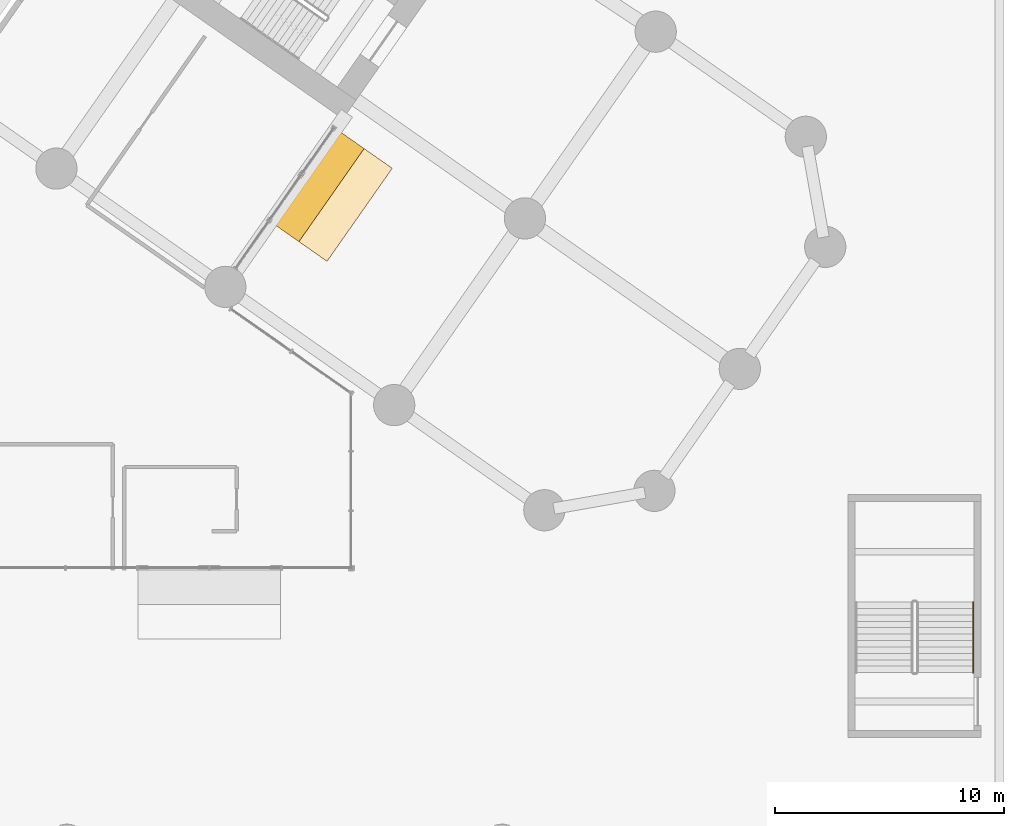
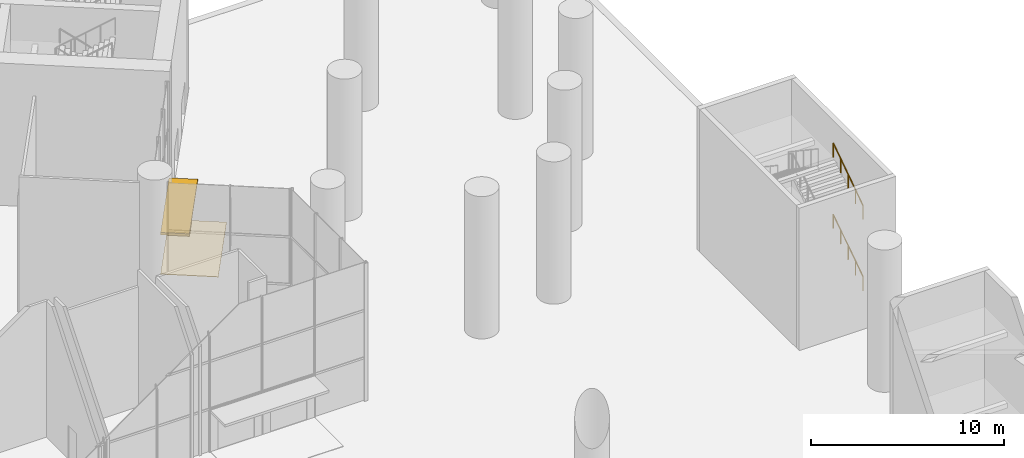
# One storey, part 34 of 37: 2 railings, 1 covering, 1 shading device.
"""IFC4 building model written with IfcOpenShell, lengths in metres."""

from ifc_helpers import new_model, si_unit, direction, frame, origin, origin_2d, place, context, subcontext, project, spatial, polyline, rectangle, circle, outline, extrude, material, layer, layer_set, type_object, element, save


model = new_model("IFC4")

# Units and contexts
model_context = context("Model", 3, precision=1e-05, world=origin(), true_north=direction((0.0, 1.0)))
body_context = subcontext(model_context, "Body", "Model", "MODEL_VIEW")
ifc_project = project(units=[si_unit("LENGTHUNIT", "METRE"), si_unit("AREAUNIT", "SQUARE_METRE"), si_unit("VOLUMEUNIT", "CUBIC_METRE"), si_unit("PLANEANGLEUNIT", "RADIAN"), si_unit("MASSUNIT", "GRAM", prefix="KILO")], contexts=[model_context])

# Site, building, storey
site_placement = place(None, origin())
site = spatial("IfcSite", under=ifc_project, at=site_placement, CompositionType="ELEMENT")
building_placement = place(site_placement, origin())
building = spatial("IfcBuilding", under=site, at=building_placement, Name="Tel Ilan Convention Tower", CompositionType="ELEMENT")
storey_placement = place(building_placement, origin())
storey = spatial("IfcBuildingStorey", under=building, at=storey_placement, Name="L00", CompositionType="ELEMENT", Elevation=0.0)

# Shading device
ifc_material_1 = material(Name="Aluminium composite, bronze anodised", Category="aluminium")
ifc_layer_1 = layer(ifc_material_1, 0.14990234375)
ifc_layer_set_1 = layer_set([ifc_layer_1], Name="ENTRANCE CANOPY 150")
shading_device_type = type_object("IfcShadingDeviceType", Name="ENTRANCE CANOPY 150", PredefinedType="AWNING", material=ifc_layer_set_1)
shading_device_placement = place(storey_placement, frame((20.431396484375, -19.20166015625, 2.5), z_axis=(0.0, 0.0, 1.0), x_axis=(-0.573576436351, -0.819152044289, 0.0)))
element("IfcShadingDevice", 1, at=shading_device_placement, inside=storey, type_object=shading_device_type, Name="Entrance canopy", PredefinedType="AWNING", context=body_context, shape_type="SweptSolid", body=[
    extrude(rectangle(XDim=4.96044921875, YDim=1.5, at=origin_2d()), origin(), (0.0, 0.0, 1.0), 0.14990234375),
])

# Covering
ifc_material_2 = material(Name="Flamed granite flooring, grey", Category="masonry")
ifc_layer_2 = layer(ifc_material_2, 0.030029296875)
ifc_layer_set_2 = layer_set([ifc_layer_2], Name="ENTRANCE STONE FLOORING 30")
covering_type = type_object("IfcCoveringType", Name="ENTRANCE STONE FLOORING 30", PredefinedType="FLOORING", material=ifc_layer_set_2)
covering_placement = place(storey_placement, origin())
element("IfcCovering", 2, at=covering_placement, inside=storey, type_object=covering_type, Name="Entrance flooring", PredefinedType="FLOORING", context=body_context, shape_type="SweptSolid", body=[
    extrude(outline(polyline([(23.697021484375, -18.460693359375), (20.851806640625, -22.52392578125), (18.394287109375, -20.80322265625), (21.239501953125, -16.739990234375), (23.697021484375, -18.460693359375)])), origin(), (0.0, 0.0, 1.0), 0.030029296875),
])

# Railings
ifc_material_3 = material(Name="Stainless Steel Grade 316", Category="steel")
railing_type = type_object("IfcRailingType", Name="Stainless Steel Stair Handrail 900 mm", PredefinedType="HANDRAIL", material=ifc_material_3)
for number, where, name in (
    (3, (49.050048828125, -40.47509765625, 0.1875), "L00 P8 stair handrail 1"),
    (4, (49.050048828125, -40.47509765625, 4.6875), "L00 P8 stair handrail 3"),
):
    element("IfcRailing", number, at=place(storey_placement, frame(where)), inside=storey, type_object=railing_type, Name=name, PredefinedType="HANDRAIL", context=body_context, shape_type="SweptSolid", body=[
        extrude(circle(Radius=0.02392578125, at=origin_2d()), frame((0.0, 0.0, 0.8759765625), z_axis=(0.0, 0.830913701846, 0.55640131208), x_axis=(-1.0, 0.0, 0.0)), (0.0, 0.0, 1.0), 3.706787109375),
        extrude(circle(Radius=0.02099609375, at=origin_2d()), origin(), (0.0, 0.0, 1.0), 0.851806640625),
        extrude(circle(Radius=0.02099609375, at=origin_2d()), frame((0.0, 0.77001953125, 0.515625)), (0.0, 0.0, 1.0), 0.851806640625),
        extrude(circle(Radius=0.02099609375, at=origin_2d()), frame((0.0, 1.5400390625, 1.03125)), (0.0, 0.0, 1.0), 0.851806640625),
        extrude(circle(Radius=0.02099609375, at=origin_2d()), frame((0.0, 2.31005859375, 1.546875)), (0.0, 0.0, 1.0), 0.851806640625),
        extrude(circle(Radius=0.02099609375, at=origin_2d()), frame((0.0, 3.080078125, 2.0625)), (0.0, 0.0, 1.0), 0.851806640625),
    ])

save(model, "model.ifc")
